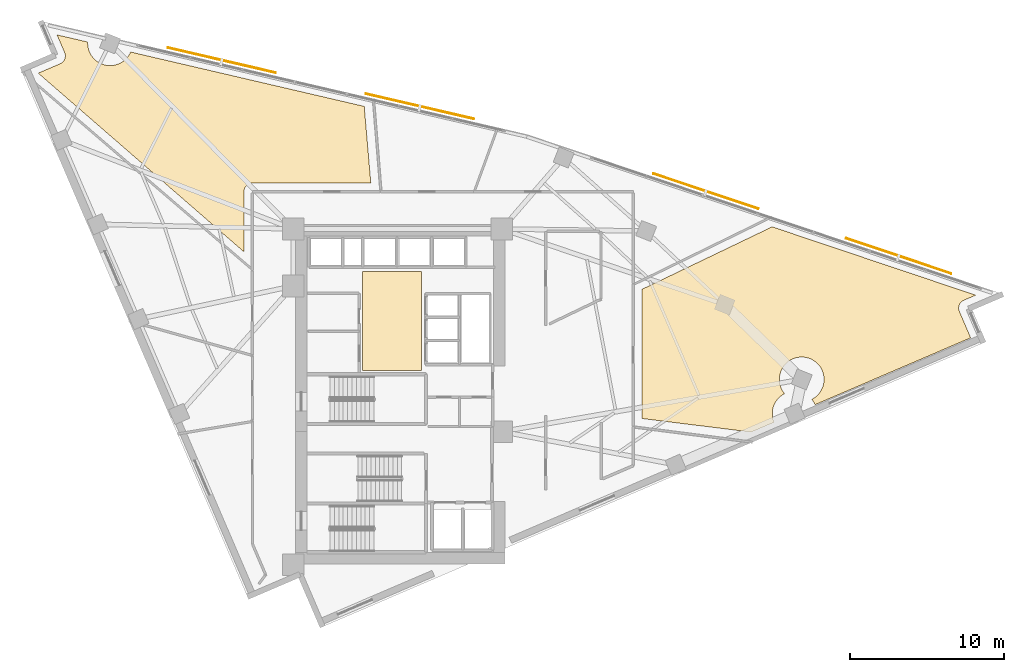
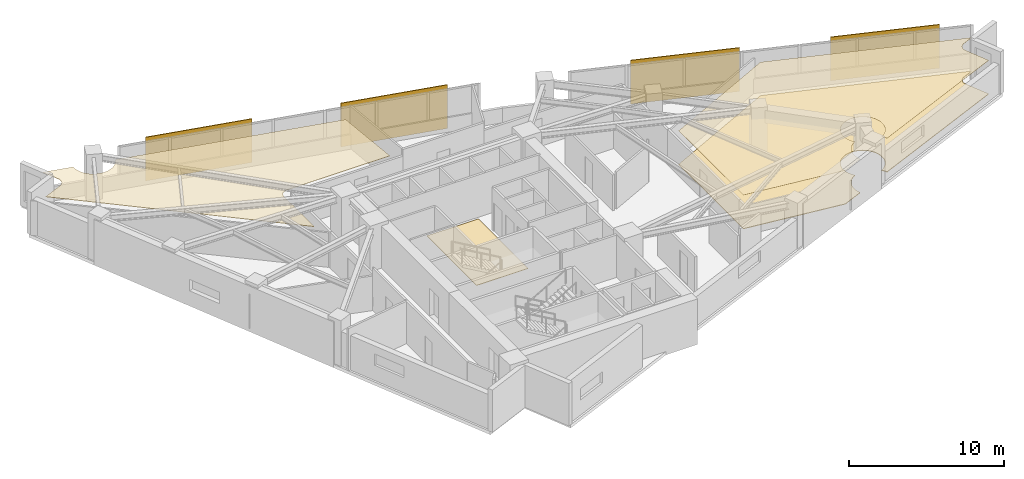
# One storey, part 14 of 14: 4 coverings, 4 shading devices.
"""IFC4 building model written with IfcOpenShell, lengths in metres."""

from ifc_helpers import new_model, si_unit, direction, frame, origin, origin_2d, place, context, subcontext, project, spatial, polyline, rectangle, outline, extrude, material, layer, layer_set, type_object, element, save


model = new_model("IFC4")

# Units and contexts
model_context = context("Model", 3, precision=1e-05, world=origin(), true_north=direction((0.0, 1.0)))
body_context = subcontext(model_context, "Body", "Model", "MODEL_VIEW")
ifc_project = project(units=[si_unit("LENGTHUNIT", "METRE"), si_unit("AREAUNIT", "SQUARE_METRE"), si_unit("VOLUMEUNIT", "CUBIC_METRE"), si_unit("PLANEANGLEUNIT", "RADIAN"), si_unit("MASSUNIT", "GRAM", prefix="KILO")], contexts=[model_context])

# Site, building, storey
site_placement = place(None, origin())
site = spatial("IfcSite", under=ifc_project, at=site_placement, CompositionType="ELEMENT")
building_placement = place(site_placement, origin())
building = spatial("IfcBuilding", under=site, at=building_placement, Name="Narakoshi Arena Tower", CompositionType="ELEMENT")
storey_placement = place(building_placement, frame((0.0, 0.0, 175.5)))
storey = spatial("IfcBuildingStorey", under=building, at=storey_placement, Name="L47", CompositionType="ELEMENT", Elevation=175.5)

# Coverings
ifc_material_1 = material(Name="Acoustic mineral-fibre ceiling tile")
ifc_layer_1 = layer(ifc_material_1, 0.02001953125)
ifc_layer_set_1 = layer_set([ifc_layer_1], Name="Acoustic mineral-fibre ceiling tile")
covering_type_1 = type_object("IfcCoveringType", Name="COV-CLG-AC20", PredefinedType="CEILING", material=ifc_layer_set_1)
covering_1_placement = place(storey_placement, frame((0.0, 0.0, 2.669921875)))
element("IfcCovering", 1, at=covering_1_placement, inside=storey, type_object=covering_type_1, Name="L47 Suspended Acoustic Ceiling 1", PredefinedType="CEILING", context=body_context, shape_type="SweptSolid", body=[
    extrude(outline(polyline([(115.52685546875, 51.870361328125), (115.478515625, 51.8466796875), (115.4326171875, 51.818359375), (115.3896484375, 51.78564453125), (115.35009765625, 51.748779296875), (115.314208984375, 51.70849609375), (115.28271484375, 51.664794921875), (115.255615234375, 51.617919921875), (115.233154296875, 51.56884765625), (115.215576171875, 51.517822265625), (115.203125, 51.46533203125), (115.196044921875, 51.411865234375), (115.194091796875, 51.35791015625), (115.197509765625, 51.303955078125), (115.2060546875, 51.250732421875), (115.2197265625, 51.198486328125), (115.23876953125, 51.14794921875), (115.974365234375, 49.435791015625), (105.87646484375, 45.09765625), (105.828125, 45.199951171875), (105.7548828125, 45.322021484375), (105.670166015625, 45.436279296875), (105.662109375, 45.4453125), (105.693359375, 45.4599609375), (105.8154296875, 45.533203125), (105.9296875, 45.617919921875), (106.03515625, 45.71337890625), (106.130859375, 45.81884765625), (106.215576171875, 45.93310546875), (106.288818359375, 46.055419921875), (106.349609375, 46.183837890625), (106.3974609375, 46.31787109375), (106.431884765625, 46.455810546875), (106.452880859375, 46.5966796875), (106.4599609375, 46.73876953125), (106.452880859375, 46.880859375), (106.431884765625, 47.021728515625), (106.3974609375, 47.15966796875), (106.349609375, 47.293701171875), (106.288818359375, 47.42236328125), (106.215576171875, 47.54443359375), (106.130859375, 47.65869140625), (106.03515625, 47.76416015625), (105.9296875, 47.859619140625), (105.8154296875, 47.9443359375), (105.693359375, 48.017578125), (105.564697265625, 48.078369140625), (105.430908203125, 48.12646484375), (105.292724609375, 48.160888671875), (105.152099609375, 48.181884765625), (105.010009765625, 48.188720703125), (104.867919921875, 48.181884765625), (104.72705078125, 48.160888671875), (104.589111328125, 48.12646484375), (104.455078125, 48.078369140625), (104.326416015625, 48.017578125), (104.204345703125, 47.9443359375), (104.090087890625, 47.859619140625), (103.984619140625, 47.76416015625), (103.888916015625, 47.65869140625), (103.80419921875, 47.54443359375), (103.731201171875, 47.42236328125), (103.67041015625, 47.293701171875), (103.622314453125, 47.15966796875), (103.587890625, 47.021728515625), (103.56689453125, 46.880859375), (103.559814453125, 46.73876953125), (103.56689453125, 46.5966796875), (103.587890625, 46.455810546875), (103.622314453125, 46.31787109375), (103.67041015625, 46.183837890625), (103.731201171875, 46.055419921875), (103.80419921875, 45.93310546875), (103.888916015625, 45.81884765625), (103.897216796875, 45.81005859375), (103.86572265625, 45.79541015625), (103.74365234375, 45.72216796875), (103.62939453125, 45.637451171875), (103.52392578125, 45.541748046875), (103.428466796875, 45.436279296875), (103.34375, 45.322021484375), (103.2705078125, 45.199951171875), (103.209716796875, 45.0712890625), (103.16162109375, 44.9375), (103.127197265625, 44.79931640625), (103.106201171875, 44.65869140625), (103.099365234375, 44.5166015625), (103.106201171875, 44.37451171875), (103.127197265625, 44.233642578125), (103.16162109375, 44.095703125), (103.209716796875, 43.961669921875), (103.21337890625, 43.95361328125), (101.736083984375, 43.318603515625), (94.635009765625, 44.2001953125), (94.635009765625, 52.580322265625), (103.08837890625, 56.6396484375), (116.30224609375, 52.20361328125), (115.52685546875, 51.870361328125)])), origin(), (0.0, 0.0, 1.0), 0.02001953125),
])
ifc_material_2 = material(Name="Slatted oak acoustic timber baffle", Category="wood")
ifc_layer_2 = layer(ifc_material_2, 0.034912109375)
ifc_layer_set_2 = layer_set([ifc_layer_2], Name="Slatted oak acoustic timber baffle")
covering_type_2 = type_object("IfcCoveringType", Name="COV-CLG-WD35", PredefinedType="CEILING", material=ifc_layer_set_2)
covering_2_placement = place(storey_placement, frame((0.0, 0.0, 2.655029296875)))
element("IfcCovering", 2, at=covering_2_placement, inside=storey, type_object=covering_type_2, Name="L47 Suspended Acoustic Ceiling 2", PredefinedType="CEILING", context=body_context, shape_type="SweptSolid", body=[
    extrude(outline(polyline([(56.888671875, 67.226318359375), (56.937255859375, 67.25), (56.983154296875, 67.2783203125), (57.02587890625, 67.31103515625), (57.065673828125, 67.347900390625), (57.101318359375, 67.38818359375), (57.1328125, 67.431884765625), (57.159912109375, 67.478759765625), (57.182373046875, 67.52783203125), (57.199951171875, 67.578857421875), (57.21240234375, 67.63134765625), (57.219482421875, 67.684814453125), (57.2216796875, 67.73876953125), (57.21826171875, 67.792724609375), (57.209716796875, 67.845947265625), (57.19580078125, 67.898193359375), (57.177001953125, 67.94873046875), (56.6845703125, 69.0947265625), (58.675537109375, 68.631103515625), (58.671630859375, 68.55126953125), (58.6787109375, 68.4091796875), (58.69970703125, 68.268310546875), (58.734130859375, 68.13037109375), (58.781982421875, 67.996337890625), (58.843017578125, 67.867919921875), (58.916015625, 67.74560546875), (59.000732421875, 67.63134765625), (59.096435546875, 67.52587890625), (59.201904296875, 67.430419921875), (59.316162109375, 67.345703125), (59.438232421875, 67.2724609375), (59.56689453125, 67.211669921875), (59.70068359375, 67.163818359375), (59.8388671875, 67.129150390625), (59.9794921875, 67.1083984375), (60.12158203125, 67.101318359375), (60.263916015625, 67.1083984375), (60.404541015625, 67.129150390625), (60.54248046875, 67.163818359375), (60.676513671875, 67.211669921875), (60.80517578125, 67.2724609375), (60.92724609375, 67.345703125), (61.04150390625, 67.430419921875), (61.14697265625, 67.52587890625), (61.24267578125, 67.63134765625), (61.327392578125, 67.74560546875), (61.400390625, 67.867919921875), (61.45556640625, 67.984130859375), (76.617919921875, 64.45458984375), (77.045166015625, 59.47802734375), (69.364990234375, 59.47802734375), (69.31103515625, 59.475341796875), (69.2578125, 59.46728515625), (69.205322265625, 59.454345703125), (69.154541015625, 59.43603515625), (69.105712890625, 59.4130859375), (69.059326171875, 59.38525390625), (69.01611328125, 59.353271484375), (68.97607421875, 59.31689453125), (68.939697265625, 59.27685546875), (68.90771484375, 59.233642578125), (68.8798828125, 59.187255859375), (68.85693359375, 59.138427734375), (68.838623046875, 59.087646484375), (68.82568359375, 59.035400390625), (68.817626953125, 58.98193359375), (68.81494140625, 58.927978515625), (68.81494140625, 55.014404296875), (55.458740234375, 66.61181640625), (56.888671875, 67.226318359375)])), origin(), (0.0, 0.0, 1.0), 0.034912109375),
])
ifc_material_3 = material(Name="Raised steel access floor panel", Category="steel")
ifc_layer_3 = layer(ifc_material_3, 0.044921875)
ifc_layer_set_3 = layer_set([ifc_layer_3], Name="Raised steel access floor panel")
covering_type_3 = type_object("IfcCoveringType", Name="COV-FLR-RF45", PredefinedType="FLOORING", material=ifc_layer_set_3)
covering_3_placement = place(storey_placement, origin())
element("IfcCovering", 3, at=covering_3_placement, inside=storey, type_object=covering_type_3, Name="L47 Raised Steel Access Floor", PredefinedType="FLOORING", context=body_context, shape_type="SweptSolid", body=[
    extrude(outline(polyline([(115.52685546875, 51.870361328125), (115.478515625, 51.8466796875), (115.4326171875, 51.818359375), (115.3896484375, 51.78564453125), (115.35009765625, 51.748779296875), (115.314208984375, 51.70849609375), (115.28271484375, 51.664794921875), (115.255615234375, 51.617919921875), (115.233154296875, 51.56884765625), (115.215576171875, 51.517822265625), (115.203125, 51.46533203125), (115.196044921875, 51.411865234375), (115.194091796875, 51.35791015625), (115.197509765625, 51.303955078125), (115.2060546875, 51.250732421875), (115.2197265625, 51.198486328125), (115.23876953125, 51.14794921875), (115.974365234375, 49.435791015625), (105.87646484375, 45.09765625), (105.828125, 45.199951171875), (105.7548828125, 45.322021484375), (105.670166015625, 45.436279296875), (105.662109375, 45.4453125), (105.693359375, 45.4599609375), (105.8154296875, 45.533203125), (105.9296875, 45.617919921875), (106.03515625, 45.71337890625), (106.130859375, 45.81884765625), (106.215576171875, 45.93310546875), (106.288818359375, 46.055419921875), (106.349609375, 46.183837890625), (106.3974609375, 46.31787109375), (106.431884765625, 46.455810546875), (106.452880859375, 46.5966796875), (106.4599609375, 46.73876953125), (106.452880859375, 46.880859375), (106.431884765625, 47.021728515625), (106.3974609375, 47.15966796875), (106.349609375, 47.293701171875), (106.288818359375, 47.42236328125), (106.215576171875, 47.54443359375), (106.130859375, 47.65869140625), (106.03515625, 47.76416015625), (105.9296875, 47.859619140625), (105.8154296875, 47.9443359375), (105.693359375, 48.017578125), (105.564697265625, 48.078369140625), (105.430908203125, 48.12646484375), (105.292724609375, 48.160888671875), (105.152099609375, 48.181884765625), (105.010009765625, 48.188720703125), (104.867919921875, 48.181884765625), (104.72705078125, 48.160888671875), (104.589111328125, 48.12646484375), (104.455078125, 48.078369140625), (104.326416015625, 48.017578125), (104.204345703125, 47.9443359375), (104.090087890625, 47.859619140625), (103.984619140625, 47.76416015625), (103.888916015625, 47.65869140625), (103.80419921875, 47.54443359375), (103.731201171875, 47.42236328125), (103.67041015625, 47.293701171875), (103.622314453125, 47.15966796875), (103.587890625, 47.021728515625), (103.56689453125, 46.880859375), (103.559814453125, 46.73876953125), (103.56689453125, 46.5966796875), (103.587890625, 46.455810546875), (103.622314453125, 46.31787109375), (103.67041015625, 46.183837890625), (103.731201171875, 46.055419921875), (103.80419921875, 45.93310546875), (103.888916015625, 45.81884765625), (103.897216796875, 45.81005859375), (103.86572265625, 45.79541015625), (103.74365234375, 45.72216796875), (103.62939453125, 45.637451171875), (103.52392578125, 45.541748046875), (103.428466796875, 45.436279296875), (103.34375, 45.322021484375), (103.2705078125, 45.199951171875), (103.209716796875, 45.0712890625), (103.16162109375, 44.9375), (103.127197265625, 44.79931640625), (103.106201171875, 44.65869140625), (103.099365234375, 44.5166015625), (103.106201171875, 44.37451171875), (103.127197265625, 44.233642578125), (103.16162109375, 44.095703125), (103.209716796875, 43.961669921875), (103.21337890625, 43.95361328125), (101.736083984375, 43.318603515625), (94.635009765625, 44.2001953125), (94.635009765625, 52.580322265625), (103.08837890625, 56.6396484375), (116.30224609375, 52.20361328125), (115.52685546875, 51.870361328125)])), origin(), (0.0, 0.0, 1.0), 0.044921875),
])
ifc_material_4 = material(Name="Honed granite stone paving", Category="masonry")
ifc_layer_4 = layer(ifc_material_4, 0.030029296875)
ifc_layer_set_4 = layer_set([ifc_layer_4], Name="Honed granite stone paving")
covering_type_4 = type_object("IfcCoveringType", Name="COV-FLR-ST30", PredefinedType="FLOORING", material=ifc_layer_set_4)
covering_4_placement = place(storey_placement, origin())
element("IfcCovering", 4, at=covering_4_placement, inside=storey, type_object=covering_type_4, Name="L47 Lift Lobby Granite Flooring", PredefinedType="FLOORING", context=body_context, shape_type="SweptSolid", body=[
    extrude(outline(polyline([(76.5, 47.300048828125), (80.35009765625, 47.300048828125), (80.35009765625, 53.75), (76.5, 53.75), (76.5, 47.300048828125)])), origin(), (0.0, 0.0, 1.0), 0.030029296875),
])

# Shading devices
ifc_material_5 = material(Name="Perforated bronze ceramic-metal composite")
ifc_layer_5 = layer(ifc_material_5, 0.06005859375)
ifc_layer_set_5 = layer_set([ifc_layer_5], Name="Perforated bronze ceramic-metal composite")
shading_device_type = type_object("IfcShadingDeviceType", Name="SHD-SCR-BRZ2", PredefinedType="USERDEFINED", material=ifc_layer_set_5)
for number, where, z_axis, x_axis, name in (
    (5, (111.30126953125, 54.747314453125, 0.0), (0.0, 0.0, 1.0), (-0.948001964735, 0.318264473134, 0.0), "L47 Perforated Bronze Solar Screen 1-1"),
    (6, (98.78759765625, 58.948486328125, 0.0), (0.0, 0.0, 1.0), (-0.948001964735, 0.318264473134, 0.0), "L47 Perforated Bronze Solar Screen 1-2"),
    (7, (80.23193359375, 64.455078125, 0.0), (0.0, 0.0, 1.0), (-0.973960141659, 0.226719303234, 0.0), "L47 Perforated Bronze Solar Screen 2-1"),
    (8, (67.37548828125, 67.447998046875, 0.0), (0.0, 0.0, 1.0), (-0.973960141659, 0.226719303234, 0.0), "L47 Perforated Bronze Solar Screen 2-2"),
):
    element("IfcShadingDevice", number, at=place(storey_placement, frame(where, z_axis=z_axis, x_axis=x_axis)), inside=storey, type_object=shading_device_type, Name=name, ObjectType="SOLAR SCREEN", PredefinedType="USERDEFINED", context=body_context, shape_type="SweptSolid", body=[
        extrude(rectangle(XDim=7.199951171875, YDim=0.06005859375, at=origin_2d()), origin(), (0.0, 0.0, 1.0), 3.449951171875),
    ])

save(model, "model.ifc")
